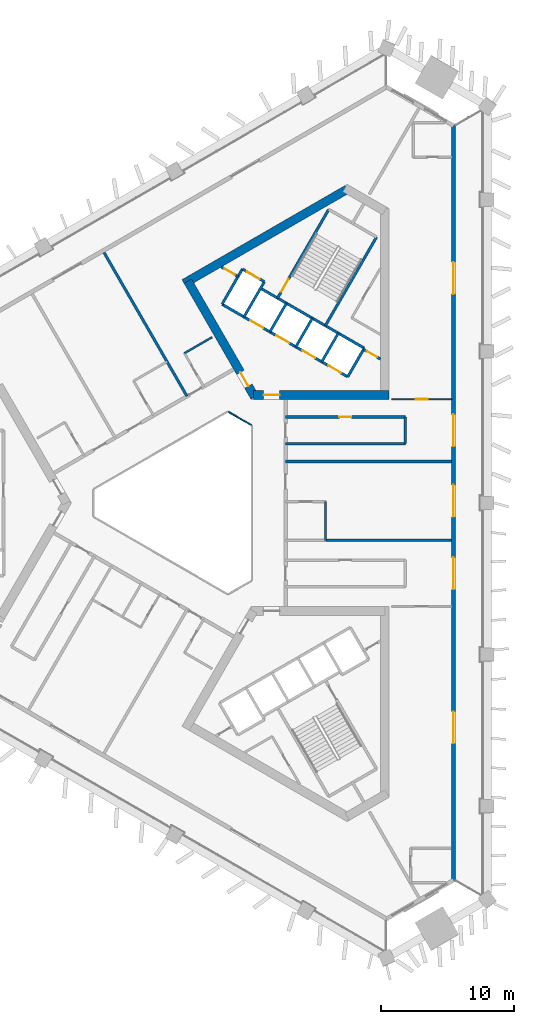
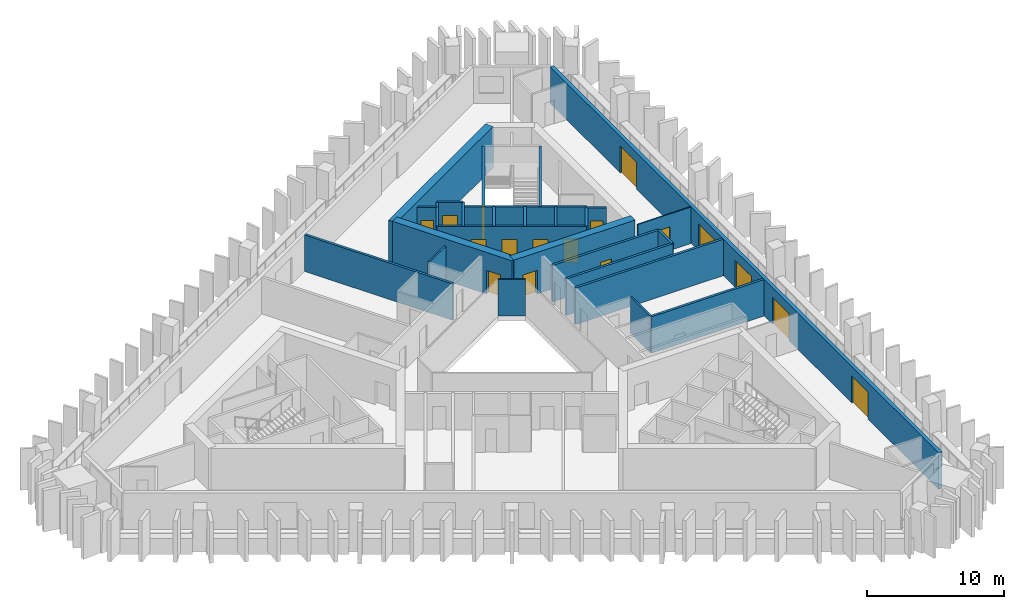
# One storey, part 5 of 10: 27 walls, 17 doors, 17 openings.
"""IFC4 building model written with IfcOpenShell, lengths in metres."""

from ifc_helpers import new_model, si_unit, direction, frame, frame_2d, origin, place, context, subcontext, project, spatial, rectangle, extrude, material, layer, layer_set, type_object, element, fill, save


model = new_model("IFC4")

# Units and contexts
model_context = context("Model", 3, precision=1e-05, world=origin(), true_north=direction((0.0, 1.0)))
body_context = subcontext(model_context, "Body", "Model", "MODEL_VIEW")
ifc_project = project(units=[si_unit("LENGTHUNIT", "METRE"), si_unit("AREAUNIT", "SQUARE_METRE"), si_unit("VOLUMEUNIT", "CUBIC_METRE"), si_unit("PLANEANGLEUNIT", "RADIAN"), si_unit("MASSUNIT", "GRAM", prefix="KILO")], contexts=[model_context])

# Site, building, storey
site_placement = place(None, origin())
site = spatial("IfcSite", under=ifc_project, at=site_placement, CompositionType="ELEMENT")
building_placement = place(site_placement, origin())
building = spatial("IfcBuilding", under=site, at=building_placement, Name="Jabali Bay Hotel Tower and Convention Centre", CompositionType="ELEMENT")
storey_placement = place(building_placement, frame((0.0, 0.0, 117.89990234375)))
storey = spatial("IfcBuildingStorey", under=building, at=storey_placement, Name="L28", CompositionType="ELEMENT", Elevation=117.89990234375)

# Wall
ifc_material_1 = material(Name="Fire-resistant glazing", Category="glass")
ifc_layer_1 = layer(ifc_material_1, 0.10009765625)
ifc_layer_set_1 = layer_set([ifc_layer_1], Name="Fire-resistant glazing")
wall_type_1 = type_object("IfcWallType", Name="Atrium glazed screen 100", PredefinedType="PARTITIONING", material=ifc_layer_set_1)
wall_1_placement = place(storey_placement, frame((79.530029296875, 85.84619140625, 0.0), z_axis=(0.0, 0.0, 1.0), x_axis=(-0.866041268327, 0.499972520799, 0.0)))
element("IfcWall", 1, at=wall_1_placement, inside=storey, type_object=wall_type_1, Name="Atrium screen 2 L28", PredefinedType="PARTITIONING", context=body_context, shape_type="SweptSolid", body=[
    extrude(rectangle(XDim=2.0, YDim=0.10009765625, at=frame_2d((1.0, 0.0))), origin(), (0.0, 0.0, 1.0), 3.25),
])

# Wall, opening, door
ifc_material_2 = material(Name="Concrete C40", Category="concrete")
ifc_layer_2 = layer(ifc_material_2, 0.199951171875)
ifc_layer_set_2 = layer_set([ifc_layer_2], Name="Concrete C40")
wall_type_2 = type_object("IfcWallType", Name="Core partition wall 200", PredefinedType="PARTITIONING", material=ifc_layer_set_2)
wall_2_placement = place(storey_placement, frame((89.22998046875, 90.813720703125, 0.0), z_axis=(0.0, 0.0, 1.0), x_axis=(-0.866022048785, 0.500005810984, 0.0)))
wall_2 = element("IfcWall", 2, at=wall_2_placement, inside=storey, type_object=wall_type_2, Name="Core wall 1.11 L28", PredefinedType="PARTITIONING", context=body_context, shape_type="SweptSolid", body=[
    extrude(rectangle(XDim=1.466796875, YDim=0.199951171875, at=frame_2d((0.7333984375, 0.0))), origin(), (0.0, 0.0, 1.0), 3.25),
])
opening_1_placement = place(wall_2_placement, frame((0.283447265625, 0.0, 0.0)))
opening_1 = element("IfcOpeningElement", 3, at=opening_1_placement, cuts=wall_2, Name="Opening D631", PredefinedType="OPENING", context=body_context, shape_type="SweptSolid", body=[
    extrude(rectangle(XDim=0.89990234375, YDim=2.10009765625, at=frame_2d((0.449951171875, 1.050048828125))), frame((0.0, 0.1103515625, 0.0), z_axis=(0.0, -1.0, 0.0), x_axis=(1.0, 0.0, 0.0)), (0.0, 0.0, 1.0), 0.220947265625),
])
ifc_material_3 = material(Name="Fire-rated steel door", Category="steel")
door_type_1 = type_object("IfcDoorType", Name="Vestibule fire door 900 x 2100", OperationType="NOTDEFINED", PredefinedType="NOTDEFINED", material=ifc_material_3)
door_1_placement = place(opening_1_placement, origin())
door_1 = element("IfcDoor", 4, at=door_1_placement, inside=storey, type_object=door_type_1, Name="Vestibule fire door D631", OperationType="SINGLE_SWING_LEFT", OverallHeight=2.10009765625, OverallWidth=0.89990234375, PredefinedType="NOTDEFINED", context=body_context, shape_type="SweptSolid", body=[
    extrude(rectangle(XDim=0.89990234375, YDim=2.10009765625, at=frame_2d((0.449951171875, 1.050048828125))), frame((0.0, 0.02490234375, 0.0), z_axis=(0.0, -1.0, 0.0), x_axis=(1.0, 0.0, 0.0)), (0.0, 0.0, 1.0), 0.050048828125),
])
fill(opening_1, door_1)

wall_3_placement = place(storey_placement, frame((78.5302734375, 97.014404296875, 0.0), z_axis=(0.0, 0.0, 1.0), x_axis=(-0.866045896294, 0.499964504253, 0.0)))
wall_3 = element("IfcWall", 5, at=wall_3_placement, inside=storey, type_object=wall_type_2, Name="Core wall 1.12 L28", PredefinedType="PARTITIONING", context=body_context, shape_type="SweptSolid", body=[
    extrude(rectangle(XDim=1.455078125, YDim=0.199951171875, at=frame_2d((0.7275390625, 0.0))), origin(), (0.0, 0.0, 1.0), 3.25),
])
opening_2_placement = place(wall_3_placement, frame((0.277587890625, 0.0, 0.0)))
opening_2 = element("IfcOpeningElement", 6, at=opening_2_placement, cuts=wall_3, Name="Opening D630", PredefinedType="OPENING", context=body_context, shape_type="SweptSolid", body=[
    extrude(rectangle(XDim=0.89990234375, YDim=2.10009765625, at=frame_2d((0.449951171875, 1.050048828125))), frame((0.0, 0.1103515625, 0.0), z_axis=(0.0, -1.0, 0.0), x_axis=(1.0, 0.0, 0.0)), (0.0, 0.0, 1.0), 0.220947265625),
])
door_2_placement = place(opening_2_placement, origin())
door_2 = element("IfcDoor", 7, at=door_2_placement, inside=storey, type_object=door_type_1, Name="Vestibule fire door D630", OperationType="SINGLE_SWING_LEFT", OverallHeight=2.10009765625, OverallWidth=0.89990234375, PredefinedType="NOTDEFINED", context=body_context, shape_type="SweptSolid", body=[
    extrude(rectangle(XDim=0.89990234375, YDim=2.10009765625, at=frame_2d((0.449951171875, 1.050048828125))), frame((0.0, 0.02490234375, 0.0), z_axis=(0.0, -1.0, 0.0), x_axis=(1.0, 0.0, 0.0)), (0.0, 0.0, 1.0), 0.050048828125),
])
fill(opening_2, door_2)

# Walls
ifc_layer_3 = layer(ifc_material_2, 0.199951171875)
ifc_layer_set_3 = layer_set([ifc_layer_3], Name="Concrete C40")
wall_type_3 = type_object("IfcWallType", Name="Core stair wall 200", PredefinedType="SOLIDWALL", material=ifc_layer_set_3)
for number, where, z_axis, x_axis, name in (
    (8, (86.769775390625, 89.48583984375, 0.0), (0.0, 0.0, 1.0), (0.499961042966, 0.86604789447, 0.0), "Core wall 1.0 L28"),
    (9, (84.8212890625, 90.61083984375, 0.0), (0.0, 0.0, 1.0), (0.499961042966, 0.86604789447, 0.0), "Core wall 1.2 L28"),
):
    element("IfcWall", number, at=place(storey_placement, frame(where, z_axis=z_axis, x_axis=x_axis)), inside=storey, type_object=wall_type_3, Name=name, PredefinedType="SOLIDWALL", context=body_context, shape_type="SweptSolid", body=[
        extrude(rectangle(XDim=2.480224609375, YDim=0.199951171875, at=frame_2d((1.240234375, 0.0))), origin(), (0.0, 0.0, 1.0), 3.25),
    ])
wall_4_placement = place(storey_placement, frame((85.0869140625, 93.3212890625, 0.0), z_axis=(0.0, 0.0, 1.0), x_axis=(0.500019787375, 0.866013979237, 0.0)))
element("IfcWall", 10, at=wall_4_placement, inside=storey, type_object=wall_type_3, Name="Core wall 1.3 L28", PredefinedType="SOLIDWALL", context=body_context, shape_type="SweptSolid", body=[
    extrude(rectangle(XDim=7.699951171875, YDim=0.199951171875, at=frame_2d((3.85009765625, 0.0))), origin(), (0.0, 0.0, 1.0), 3.25),
])
for number, where, z_axis, x_axis, name in (
    (11, (82.872802734375, 91.73583984375, 0.0), (0.0, 0.0, 1.0), (0.499961042966, 0.86604789447, 0.0), "Core wall 1.4 L28"),
    (12, (80.924072265625, 92.86083984375, 0.0), (0.0, 0.0, 1.0), (0.499961042966, 0.86604789447, 0.0), "Core wall 1.6 L28"),
):
    element("IfcWall", number, at=place(storey_placement, frame(where, z_axis=z_axis, x_axis=x_axis)), inside=storey, type_object=wall_type_3, Name=name, PredefinedType="SOLIDWALL", context=body_context, shape_type="SweptSolid", body=[
        extrude(rectangle(XDim=2.480224609375, YDim=0.199951171875, at=frame_2d((1.240234375, 0.0))), origin(), (0.0, 0.0, 1.0), 3.25),
    ])

# Wall, opening, door
wall_5_placement = place(storey_placement, frame((81.492919921875, 95.396240234375, 0.0), z_axis=(0.0, 0.0, 1.0), x_axis=(0.500006057782, 0.866021906294, 0.0)))
wall_5 = element("IfcWall", 13, at=wall_5_placement, inside=storey, type_object=wall_type_3, Name="Core wall 1.7 L28", PredefinedType="SOLIDWALL", context=body_context, shape_type="SweptSolid", body=[
    extrude(rectangle(XDim=7.7001953125, YDim=0.199951171875, at=frame_2d((3.85009765625, 0.0))), origin(), (0.0, 0.0, 1.0), 3.25),
])
opening_3_placement = place(wall_5_placement, frame((0.550048828125, 0.0, 0.0)))
opening_3 = element("IfcOpeningElement", 14, at=opening_3_placement, cuts=wall_5, Name="Opening D632", PredefinedType="OPENING", context=body_context, shape_type="SweptSolid", body=[
    extrude(rectangle(XDim=1.10009765625, YDim=2.10009765625, at=frame_2d((0.550048828125, 1.050048828125))), frame((0.0, 0.1103515625, 0.0), z_axis=(0.0, -1.0, 0.0), x_axis=(1.0, 0.0, 0.0)), (0.0, 0.0, 1.0), 0.220947265625),
])
door_type_2 = type_object("IfcDoorType", Name="Stair fire door 1100 x 2100", OperationType="NOTDEFINED", PredefinedType="NOTDEFINED", material=ifc_material_3)
door_3_placement = place(opening_3_placement, origin())
door_3 = element("IfcDoor", 15, at=door_3_placement, inside=storey, type_object=door_type_2, Name="Stair fire door D632", OperationType="SINGLE_SWING_RIGHT", OverallHeight=2.10009765625, OverallWidth=1.10009765625, PredefinedType="NOTDEFINED", context=body_context, shape_type="SweptSolid", body=[
    extrude(rectangle(XDim=1.10009765625, YDim=2.10009765625, at=frame_2d((0.550048828125, 1.050048828125))), frame((0.0, 0.02490234375, 0.0), z_axis=(0.0, -1.0, 0.0), x_axis=(1.0, 0.0, 0.0)), (0.0, 0.0, 1.0), 0.050048828125),
])
fill(opening_3, door_3)

# Walls
for number, where, z_axis, x_axis, name in (
    (16, (78.9755859375, 93.98583984375, 0.0), (0.0, 0.0, 1.0), (0.499944174705, 0.866057632134, 0.0), "Core wall 1.8 L28"),
    (17, (77.330078125, 94.93603515625, 0.0), (0.0, 0.0, 1.0), (0.500038867431, 0.8660029625, 0.0), "Core wall 1.9 L28"),
):
    element("IfcWall", number, at=place(storey_placement, frame(where, z_axis=z_axis, x_axis=x_axis)), inside=storey, type_object=wall_type_3, Name=name, PredefinedType="SOLIDWALL", context=body_context, shape_type="SweptSolid", body=[
        extrude(rectangle(XDim=3.050048828125, YDim=0.199951171875, at=frame_2d((1.52490234375, 0.0))), origin(), (0.0, 0.0, 1.0), 3.25),
    ])

# Wall, openings, doors
wall_6_placement = place(storey_placement, frame((86.769775390625, 89.48583984375, 0.0), z_axis=(0.0, 0.0, 1.0), x_axis=(-0.86601811187, 0.500012629753, 0.0)))
wall_6 = element("IfcWall", 18, at=wall_6_placement, inside=storey, type_object=wall_type_3, Name="Core wall 1.10 L28", PredefinedType="SOLIDWALL", context=body_context, shape_type="SweptSolid", body=[
    extrude(rectangle(XDim=10.900146484375, YDim=0.199951171875, at=frame_2d((5.4501953125, 0.0))), origin(), (0.0, 0.0, 1.0), 3.25),
])
opening_4_placement = place(wall_6_placement, frame((0.574951171875, 0.0, 0.0)))
opening_4 = element("IfcOpeningElement", 19, at=opening_4_placement, cuts=wall_6, Name="Opening LD6-L28", PredefinedType="OPENING", context=body_context, shape_type="SweptSolid", body=[
    extrude(rectangle(XDim=1.10009765625, YDim=2.10009765625, at=frame_2d((0.550048828125, 1.050048828125))), frame((0.0, 0.1103515625, 0.0), z_axis=(0.0, -1.0, 0.0), x_axis=(1.0, 0.0, 0.0)), (0.0, 0.0, 1.0), 0.220947265625),
])
opening_5_placement = place(wall_6_placement, frame((2.824951171875, 0.0, 0.0)))
opening_5 = element("IfcOpeningElement", 20, at=opening_5_placement, cuts=wall_6, Name="Opening LD7-L28", PredefinedType="OPENING", context=body_context, shape_type="SweptSolid", body=[
    extrude(rectangle(XDim=1.10009765625, YDim=2.10009765625, at=frame_2d((0.550048828125, 1.050048828125))), frame((0.0, 0.1103515625, 0.0), z_axis=(0.0, -1.0, 0.0), x_axis=(1.0, 0.0, 0.0)), (0.0, 0.0, 1.0), 0.220947265625),
])
opening_6_placement = place(wall_6_placement, frame((5.074951171875, 0.0, 0.0)))
opening_6 = element("IfcOpeningElement", 21, at=opening_6_placement, cuts=wall_6, Name="Opening LD8-L28", PredefinedType="OPENING", context=body_context, shape_type="SweptSolid", body=[
    extrude(rectangle(XDim=1.10009765625, YDim=2.10009765625, at=frame_2d((0.550048828125, 1.050048828125))), frame((0.0, 0.1103515625, 0.0), z_axis=(0.0, -1.0, 0.0), x_axis=(1.0, 0.0, 0.0)), (0.0, 0.0, 1.0), 0.220947265625),
])
opening_7_placement = place(wall_6_placement, frame((7.324951171875, 0.0, 0.0)))
opening_7 = element("IfcOpeningElement", 22, at=opening_7_placement, cuts=wall_6, Name="Opening LD9-L28", PredefinedType="OPENING", context=body_context, shape_type="SweptSolid", body=[
    extrude(rectangle(XDim=1.10009765625, YDim=2.10009765625, at=frame_2d((0.550048828125, 1.050048828125))), frame((0.0, 0.1103515625, 0.0), z_axis=(0.0, -1.0, 0.0), x_axis=(1.0, 0.0, 0.0)), (0.0, 0.0, 1.0), 0.220947265625),
])
ifc_material_4 = material(Name="Stainless steel landing door", Category="steel")
door_type_3 = type_object("IfcDoorType", Name="Landing door 1100 x 2100", OperationType="NOTDEFINED", PredefinedType="NOTDEFINED", material=ifc_material_4)
door_4_placement = place(opening_4_placement, origin())
door_4 = element("IfcDoor", 23, at=door_4_placement, inside=storey, type_object=door_type_3, Name="Landing doors LD6-L28", OperationType="SLIDING_TO_RIGHT", OverallHeight=2.10009765625, OverallWidth=1.10009765625, PredefinedType="NOTDEFINED", context=body_context, shape_type="SweptSolid", body=[
    extrude(rectangle(XDim=1.10009765625, YDim=2.10009765625, at=frame_2d((0.550048828125, 1.050048828125))), frame((0.0, 0.02490234375, 0.0), z_axis=(0.0, -1.0, 0.0), x_axis=(1.0, 0.0, 0.0)), (0.0, 0.0, 1.0), 0.050048828125),
])
fill(opening_4, door_4)
door_5_placement = place(opening_5_placement, origin())
door_5 = element("IfcDoor", 24, at=door_5_placement, inside=storey, type_object=door_type_3, Name="Landing doors LD7-L28", OperationType="SLIDING_TO_LEFT", OverallHeight=2.10009765625, OverallWidth=1.10009765625, PredefinedType="NOTDEFINED", context=body_context, shape_type="SweptSolid", body=[
    extrude(rectangle(XDim=1.10009765625, YDim=2.10009765625, at=frame_2d((0.550048828125, 1.050048828125))), frame((0.0, 0.02490234375, 0.0), z_axis=(0.0, -1.0, 0.0), x_axis=(1.0, 0.0, 0.0)), (0.0, 0.0, 1.0), 0.050048828125),
])
fill(opening_5, door_5)
door_6_placement = place(opening_6_placement, origin())
door_6 = element("IfcDoor", 25, at=door_6_placement, inside=storey, type_object=door_type_3, Name="Landing doors LD8-L28", OperationType="SLIDING_TO_RIGHT", OverallHeight=2.10009765625, OverallWidth=1.10009765625, PredefinedType="NOTDEFINED", context=body_context, shape_type="SweptSolid", body=[
    extrude(rectangle(XDim=1.10009765625, YDim=2.10009765625, at=frame_2d((0.550048828125, 1.050048828125))), frame((0.0, 0.02490234375, 0.0), z_axis=(0.0, -1.0, 0.0), x_axis=(1.0, 0.0, 0.0)), (0.0, 0.0, 1.0), 0.050048828125),
])
fill(opening_6, door_6)
door_7_placement = place(opening_7_placement, origin())
door_7 = element("IfcDoor", 26, at=door_7_placement, inside=storey, type_object=door_type_3, Name="Landing doors LD9-L28", OperationType="SLIDING_TO_LEFT", OverallHeight=2.10009765625, OverallWidth=1.10009765625, PredefinedType="NOTDEFINED", context=body_context, shape_type="SweptSolid", body=[
    extrude(rectangle(XDim=1.10009765625, YDim=2.10009765625, at=frame_2d((0.550048828125, 1.050048828125))), frame((0.0, 0.02490234375, 0.0), z_axis=(0.0, -1.0, 0.0), x_axis=(1.0, 0.0, 0.0)), (0.0, 0.0, 1.0), 0.050048828125),
])
fill(opening_7, door_7)

# Wall
wall_7_placement = place(storey_placement, frame((88.009765625, 91.6337890625, 0.0), z_axis=(0.0, 0.0, 1.0), x_axis=(-0.866024315419, 0.5000018851, 0.0)))
element("IfcWall", 27, at=wall_7_placement, inside=storey, type_object=wall_type_3, Name="Core wall 1.13 L28", PredefinedType="SOLIDWALL", context=body_context, shape_type="SweptSolid", body=[
    extrude(rectangle(XDim=9.0, YDim=0.199951171875, at=frame_2d((4.5, 0.0))), origin(), (0.0, 0.0, 1.0), 3.25),
])

# Wall, opening, door
wall_8_placement = place(storey_placement, frame((80.50048828125, 96.62744140625, 0.0), z_axis=(0.0, 0.0, 1.0), x_axis=(-0.86601224135, 0.500022797313, 0.0)))
wall_8 = element("IfcWall", 28, at=wall_8_placement, inside=storey, type_object=wall_type_3, Name="Core wall 1.14 L28", PredefinedType="SOLIDWALL", context=body_context, shape_type="SweptSolid", body=[
    extrude(rectangle(XDim=1.89990234375, YDim=0.199951171875, at=frame_2d((0.949951171875, 0.0))), origin(), (0.0, 0.0, 1.0), 3.25),
])
opening_8_placement = place(wall_8_placement, frame((0.39990234375, 0.0, 0.0)))
opening_8 = element("IfcOpeningElement", 29, at=opening_8_placement, cuts=wall_8, Name="Opening LD10-L28", PredefinedType="OPENING", context=body_context, shape_type="SweptSolid", body=[
    extrude(rectangle(XDim=1.10009765625, YDim=2.10009765625, at=frame_2d((0.550048828125, 1.050048828125))), frame((0.0, 0.1103515625, 0.0), z_axis=(0.0, -1.0, 0.0), x_axis=(1.0, 0.0, 0.0)), (0.0, 0.0, 1.0), 0.220947265625),
])
door_8_placement = place(opening_8_placement, origin())
door_8 = element("IfcDoor", 30, at=door_8_placement, inside=storey, type_object=door_type_3, Name="Landing doors LD10-L28", OperationType="SLIDING_TO_RIGHT", OverallHeight=2.10009765625, OverallWidth=1.10009765625, PredefinedType="NOTDEFINED", context=body_context, shape_type="SweptSolid", body=[
    extrude(rectangle(XDim=1.10009765625, YDim=2.10009765625, at=frame_2d((0.550048828125, 1.050048828125))), frame((0.0, 0.02490234375, 0.0), z_axis=(0.0, -1.0, 0.0), x_axis=(1.0, 0.0, 0.0)), (0.0, 0.0, 1.0), 0.050048828125),
])
fill(opening_8, door_8)

ifc_material_5 = material(Name="Concrete C60", Category="concrete")
ifc_layer_4 = layer(ifc_material_5, 0.64990234375)
ifc_layer_set_4 = layer_set([ifc_layer_4], Name="Concrete C60")
wall_type_4 = type_object("IfcWallType", Name="Core wall 650", PredefinedType="SHEAR", material=ifc_layer_set_4)
wall_9_placement = place(storey_placement, frame((79.687744140625, 88.119140625, 0.0), z_axis=(0.0, 0.0, 1.0), x_axis=(1.0, 0.0, 0.0)))
wall_9 = element("IfcWall", 31, at=wall_9_placement, inside=storey, type_object=wall_type_4, Name="Core wall 2.1 L28", PredefinedType="SHEAR", context=body_context, shape_type="SweptSolid", body=[
    extrude(rectangle(XDim=10.192138671875, YDim=0.64990234375, at=frame_2d((5.09619140625, 0.0))), origin(), (0.0, 0.0, 1.0), 3.7001953125),
])
opening_9_placement = place(wall_9_placement, frame((0.762451171875, 0.0, 0.0)))
opening_9 = element("IfcOpeningElement", 32, at=opening_9_placement, cuts=wall_9, Name="Opening D628", PredefinedType="OPENING", context=body_context, shape_type="SweptSolid", body=[
    extrude(rectangle(XDim=1.199951171875, YDim=2.10009765625, at=frame_2d((0.60009765625, 1.050048828125))), frame((0.0, 0.33544921875, 0.0), z_axis=(0.0, -1.0, 0.0), x_axis=(1.0, 0.0, 0.0)), (0.0, 0.0, 1.0), 0.6708984375),
])
door_type_4 = type_object("IfcDoorType", Name="Corridor end fire door 1200 x 2100", OperationType="NOTDEFINED", PredefinedType="NOTDEFINED", material=ifc_material_3)
door_9_placement = place(opening_9_placement, origin())
door_9 = element("IfcDoor", 33, at=door_9_placement, inside=storey, type_object=door_type_4, Name="Corridor end fire door D628", OperationType="SINGLE_SWING_RIGHT", OverallHeight=2.10009765625, OverallWidth=1.199951171875, PredefinedType="NOTDEFINED", context=body_context, shape_type="SweptSolid", body=[
    extrude(rectangle(XDim=1.199951171875, YDim=2.10009765625, at=frame_2d((0.60009765625, 1.050048828125))), frame((0.0, 0.02490234375, 0.0), z_axis=(0.0, -1.0, 0.0), x_axis=(1.0, 0.0, 0.0)), (0.0, 0.0, 1.0), 0.050048828125),
])
fill(opening_9, door_9)

# Wall
wall_10_placement = place(storey_placement, frame((86.72314453125, 103.574951171875, 0.0), z_axis=(0.0, 0.0, 1.0), x_axis=(-0.866031824457, -0.499988878904, 0.0)))
element("IfcWall", 34, at=wall_10_placement, inside=storey, type_object=wall_type_4, Name="Core wall 2.4 L28", PredefinedType="SHEAR", context=body_context, shape_type="SweptSolid", body=[
    extrude(rectangle(XDim=14.145751953125, YDim=0.64990234375, at=frame_2d((7.07275390625, 0.0))), origin(), (0.0, 0.0, 1.0), 3.7001953125),
])

# Wall, opening, door
wall_11_placement = place(storey_placement, frame((74.75390625, 96.66455078125, 0.0), z_axis=(0.0, 0.0, 1.0), x_axis=(0.500011799426, -0.866018591275, 0.0)))
wall_11 = element("IfcWall", 35, at=wall_11_placement, inside=storey, type_object=wall_type_4, Name="Core wall 2.5 L28", PredefinedType="SHEAR", context=body_context, shape_type="SweptSolid", body=[
    extrude(rectangle(XDim=10.054931640625, YDim=0.64990234375, at=frame_2d((5.02734375, 0.0))), origin(), (0.0, 0.0, 1.0), 3.7001953125),
])
opening_10_placement = place(wall_11_placement, frame((7.905029296875, 0.0, 0.0)))
opening_10 = element("IfcOpeningElement", 36, at=opening_10_placement, cuts=wall_11, Name="Opening D629", PredefinedType="OPENING", context=body_context, shape_type="SweptSolid", body=[
    extrude(rectangle(XDim=1.199951171875, YDim=2.10009765625, at=frame_2d((0.60009765625, 1.050048828125))), frame((0.0, 0.33544921875, 0.0), z_axis=(0.0, -1.0, 0.0), x_axis=(1.0, 0.0, 0.0)), (0.0, 0.0, 1.0), 0.6708984375),
])
door_10_placement = place(opening_10_placement, origin())
door_10 = element("IfcDoor", 37, at=door_10_placement, inside=storey, type_object=door_type_4, Name="Corridor end fire door D629", OperationType="SINGLE_SWING_LEFT", OverallHeight=2.10009765625, OverallWidth=1.199951171875, PredefinedType="NOTDEFINED", context=body_context, shape_type="SweptSolid", body=[
    extrude(rectangle(XDim=1.199951171875, YDim=2.10009765625, at=frame_2d((0.60009765625, 1.050048828125))), frame((0.0, 0.02490234375, 0.0), z_axis=(0.0, -1.0, 0.0), x_axis=(1.0, 0.0, 0.0)), (0.0, 0.0, 1.0), 0.050048828125),
])
fill(opening_10, door_10)

# Wall, openings, doors
ifc_layer_5 = layer(ifc_material_2, 0.300048828125)
ifc_layer_set_5 = layer_set([ifc_layer_5], Name="Concrete C40")
wall_type_5 = type_object("IfcWallType", Name="External wall 300", PredefinedType="SOLIDWALL", material=ifc_layer_set_5)
wall_12_placement = place(storey_placement, frame((94.725341796875, 108.361328125, 0.0), z_axis=(0.0, 0.0, 1.0), x_axis=(0.0, -1.0, 0.0)))
wall_12 = element("IfcWall", 38, at=wall_12_placement, inside=storey, type_object=wall_type_5, Name="External wall east face L28", PredefinedType="SOLIDWALL", context=body_context, shape_type="SweptSolid", body=[
    extrude(rectangle(XDim=56.72265625, YDim=0.300048828125, at=frame_2d((28.361328125, 0.0))), origin(), (0.0, 0.0, 1.0), 3.25),
])
opening_11_placement = place(wall_12_placement, frame((27.005615234375, 0.0, 0.0)))
opening_11 = element("IfcOpeningElement", 39, at=opening_11_placement, cuts=wall_12, Name="Opening SD1", PredefinedType="OPENING", context=body_context, shape_type="SweptSolid", body=[
    extrude(rectangle(XDim=2.39990234375, YDim=2.39990234375, at=frame_2d((1.199951171875, 1.199951171875))), frame((0.0, 0.16064453125, 0.0), z_axis=(0.0, -1.0, 0.0), x_axis=(1.0, 0.0, 0.0)), (0.0, 0.0, 1.0), 0.321044921875),
])
opening_12_placement = place(wall_12_placement, frame((32.46142578125, 0.0, 0.0)))
opening_12 = element("IfcOpeningElement", 40, at=opening_12_placement, cuts=wall_12, Name="Opening SD1", PredefinedType="OPENING", context=body_context, shape_type="SweptSolid", body=[
    extrude(rectangle(XDim=2.39990234375, YDim=2.39990234375, at=frame_2d((1.199951171875, 1.199951171875))), frame((0.0, 0.16064453125, 0.0), z_axis=(0.0, -1.0, 0.0), x_axis=(1.0, 0.0, 0.0)), (0.0, 0.0, 1.0), 0.321044921875),
])
opening_13_placement = place(wall_12_placement, frame((44.03857421875, 0.0, 0.0)))
opening_13 = element("IfcOpeningElement", 41, at=opening_13_placement, cuts=wall_12, Name="Opening SD1", PredefinedType="OPENING", context=body_context, shape_type="SweptSolid", body=[
    extrude(rectangle(XDim=2.39990234375, YDim=2.39990234375, at=frame_2d((1.199951171875, 1.199951171875))), frame((0.0, 0.16064453125, 0.0), z_axis=(0.0, -1.0, 0.0), x_axis=(1.0, 0.0, 0.0)), (0.0, 0.0, 1.0), 0.321044921875),
])
opening_14_placement = place(wall_12_placement, frame((21.70556640625, 0.0, 0.0)))
opening_14 = element("IfcOpeningElement", 42, at=opening_14_placement, cuts=wall_12, Name="Opening SD1", PredefinedType="OPENING", context=body_context, shape_type="SweptSolid", body=[
    extrude(rectangle(XDim=2.39990234375, YDim=2.39990234375, at=frame_2d((1.199951171875, 1.199951171875))), frame((0.0, 0.16064453125, 0.0), z_axis=(0.0, -1.0, 0.0), x_axis=(1.0, 0.0, 0.0)), (0.0, 0.0, 1.0), 0.321044921875),
])
opening_15_placement = place(wall_12_placement, frame((10.25830078125, 0.0, 0.0)))
opening_15 = element("IfcOpeningElement", 43, at=opening_15_placement, cuts=wall_12, Name="Opening SD1", PredefinedType="OPENING", context=body_context, shape_type="SweptSolid", body=[
    extrude(rectangle(XDim=2.39990234375, YDim=2.39990234375, at=frame_2d((1.199951171875, 1.199951171875))), frame((0.0, 0.16064453125, 0.0), z_axis=(0.0, -1.0, 0.0), x_axis=(1.0, 0.0, 0.0)), (0.0, 0.0, 1.0), 0.321044921875),
])
ifc_material_6 = material(Name="Glass", Category="glass")
door_type_5 = type_object("IfcDoorType", Name="Loggia sliding door 2400 x 2400", OperationType="NOTDEFINED", PredefinedType="NOTDEFINED", material=ifc_material_6)
door_11_placement = place(opening_11_placement, origin())
door_11 = element("IfcDoor", 44, at=door_11_placement, inside=storey, type_object=door_type_5, Name="Loggia sliding door 2803", OperationType="SLIDING_TO_LEFT", OverallHeight=2.39990234375, OverallWidth=2.39990234375, PredefinedType="NOTDEFINED", context=body_context, shape_type="SweptSolid", body=[
    extrude(rectangle(XDim=2.39990234375, YDim=2.39990234375, at=frame_2d((1.199951171875, 1.199951171875))), frame((0.0, 0.02490234375, 0.0), z_axis=(0.0, -1.0, 0.0), x_axis=(1.0, 0.0, 0.0)), (0.0, 0.0, 1.0), 0.050048828125),
])
fill(opening_11, door_11)
door_12_placement = place(opening_12_placement, origin())
door_12 = element("IfcDoor", 45, at=door_12_placement, inside=storey, type_object=door_type_5, Name="Loggia sliding door 2801", OperationType="SLIDING_TO_RIGHT", OverallHeight=2.39990234375, OverallWidth=2.39990234375, PredefinedType="NOTDEFINED", context=body_context, shape_type="SweptSolid", body=[
    extrude(rectangle(XDim=2.39990234375, YDim=2.39990234375, at=frame_2d((1.199951171875, 1.199951171875))), frame((0.0, 0.02490234375, 0.0), z_axis=(0.0, -1.0, 0.0), x_axis=(1.0, 0.0, 0.0)), (0.0, 0.0, 1.0), 0.050048828125),
])
fill(opening_12, door_12)
door_13_placement = place(opening_13_placement, origin())
door_13 = element("IfcDoor", 46, at=door_13_placement, inside=storey, type_object=door_type_5, Name="Loggia sliding door 2801", OperationType="SLIDING_TO_LEFT", OverallHeight=2.39990234375, OverallWidth=2.39990234375, PredefinedType="NOTDEFINED", context=body_context, shape_type="SweptSolid", body=[
    extrude(rectangle(XDim=2.39990234375, YDim=2.39990234375, at=frame_2d((1.199951171875, 1.199951171875))), frame((0.0, 0.02490234375, 0.0), z_axis=(0.0, -1.0, 0.0), x_axis=(1.0, 0.0, 0.0)), (0.0, 0.0, 1.0), 0.050048828125),
])
fill(opening_13, door_13)
door_14_placement = place(opening_14_placement, origin())
door_14 = element("IfcDoor", 47, at=door_14_placement, inside=storey, type_object=door_type_5, Name="Loggia sliding door 2804", OperationType="SLIDING_TO_RIGHT", OverallHeight=2.39990234375, OverallWidth=2.39990234375, PredefinedType="NOTDEFINED", context=body_context, shape_type="SweptSolid", body=[
    extrude(rectangle(XDim=2.39990234375, YDim=2.39990234375, at=frame_2d((1.199951171875, 1.199951171875))), frame((0.0, 0.02490234375, 0.0), z_axis=(0.0, -1.0, 0.0), x_axis=(1.0, 0.0, 0.0)), (0.0, 0.0, 1.0), 0.050048828125),
])
fill(opening_14, door_14)
door_15_placement = place(opening_15_placement, origin())
door_15 = element("IfcDoor", 48, at=door_15_placement, inside=storey, type_object=door_type_5, Name="Loggia sliding door 2804", OperationType="SLIDING_TO_LEFT", OverallHeight=2.39990234375, OverallWidth=2.39990234375, PredefinedType="NOTDEFINED", context=body_context, shape_type="SweptSolid", body=[
    extrude(rectangle(XDim=2.39990234375, YDim=2.39990234375, at=frame_2d((1.199951171875, 1.199951171875))), frame((0.0, 0.02490234375, 0.0), z_axis=(0.0, -1.0, 0.0), x_axis=(1.0, 0.0, 0.0)), (0.0, 0.0, 1.0), 0.050048828125),
])
fill(opening_15, door_15)

# Wall, opening, door
ifc_material_7 = material(Name="Plasterboard on steel stud", Category="steel")
ifc_layer_6 = layer(ifc_material_7, 0.10009765625)
ifc_layer_set_6 = layer_set([ifc_layer_6], Name="Plasterboard on steel stud")
wall_type_6 = type_object("IfcWallType", Name="Partition 100 unit", PredefinedType="PARTITIONING", material=ifc_layer_set_6)
wall_13_placement = place(storey_placement, frame((94.576416015625, 87.794189453125, 0.0), z_axis=(0.0, 0.0, 1.0), x_axis=(-1.0, 0.0, 0.0)))
wall_13 = element("IfcWall", 49, at=wall_13_placement, inside=storey, type_object=wall_type_6, Name="Partition P02 L28 014", PredefinedType="PARTITIONING", context=body_context, shape_type="SweptSolid", body=[
    extrude(rectangle(XDim=4.497314453125, YDim=0.10009765625, at=frame_2d((2.24853515625, 0.0))), origin(), (0.0, 0.0, 1.0), 3.25),
])
opening_16_placement = place(wall_13_placement, frame((1.799072265625, 0.0, 0.0)))
opening_16 = element("IfcOpeningElement", 50, at=opening_16_placement, cuts=wall_13, Name="Opening 2808", PredefinedType="OPENING", context=body_context, shape_type="SweptSolid", body=[
    extrude(rectangle(XDim=0.89990234375, YDim=2.10009765625, at=frame_2d((0.449951171875, 1.050048828125))), frame((0.0, 0.060546875, 0.0), z_axis=(0.0, -1.0, 0.0), x_axis=(1.0, 0.0, 0.0)), (0.0, 0.0, 1.0), 0.12109375),
])
ifc_material_8 = material(Name="Timber", Category="wood")
door_type_6 = type_object("IfcDoorType", Name="Internal door 900 x 2100", OperationType="NOTDEFINED", PredefinedType="NOTDEFINED", material=ifc_material_8)
door_16_placement = place(opening_16_placement, origin())
door_16 = element("IfcDoor", 51, at=door_16_placement, inside=storey, type_object=door_type_6, Name="Door 2808", OperationType="SINGLE_SWING_RIGHT", OverallHeight=2.10009765625, OverallWidth=0.89990234375, PredefinedType="NOTDEFINED", context=body_context, shape_type="SweptSolid", body=[
    extrude(rectangle(XDim=0.89990234375, YDim=2.10009765625, at=frame_2d((0.449951171875, 1.050048828125))), frame((0.0, 0.02490234375, 0.0), z_axis=(0.0, -1.0, 0.0), x_axis=(1.0, 0.0, 0.0)), (0.0, 0.0, 1.0), 0.050048828125),
])
fill(opening_16, door_16)

# Walls
ifc_layer_7 = layer(ifc_material_7, 0.14990234375)
ifc_layer_set_7 = layer_set([ifc_layer_7], Name="Plasterboard on steel stud")
wall_type_7 = type_object("IfcWallType", Name="Partition 150 wet", PredefinedType="PARTITIONING", material=ifc_layer_set_7)
wall_14_placement = place(storey_placement, frame((85.10009765625, 80.093994140625, 0.0), z_axis=(0.0, 0.0, 1.0), x_axis=(0.0, -1.0, 0.0)))
element("IfcWall", 52, at=wall_14_placement, inside=storey, type_object=wall_type_7, Name="Partition P03 L28 012", PredefinedType="PARTITIONING", context=body_context, shape_type="SweptSolid", body=[
    extrude(rectangle(XDim=2.89990234375, YDim=0.14990234375, at=frame_2d((1.449951171875, 0.0))), origin(), (0.0, 0.0, 1.0), 3.25),
])
wall_15_placement = place(storey_placement, frame((74.498291015625, 91.25732421875, 0.0), z_axis=(0.0, 0.0, 1.0), x_axis=(0.866038271014, 0.499977712642, 0.0)))
element("IfcWall", 53, at=wall_15_placement, inside=storey, type_object=wall_type_7, Name="Partition P03 L28 023", PredefinedType="PARTITIONING", context=body_context, shape_type="SweptSolid", body=[
    extrude(rectangle(XDim=2.40087890625, YDim=0.14990234375, at=frame_2d((1.200439453125, 0.0))), origin(), (0.0, 0.0, 1.0), 3.25),
])
ifc_layer_8 = layer(ifc_material_7, 0.199951171875)
ifc_layer_set_8 = layer_set([ifc_layer_8], Name="Plasterboard on steel stud")
wall_type_8 = type_object("IfcWallType", Name="Partition 200 party", PredefinedType="PARTITIONING", material=ifc_layer_set_8)
wall_16_placement = place(storey_placement, frame((94.576416015625, 77.194091796875, 0.0), z_axis=(0.0, 0.0, 1.0), x_axis=(-1.0, 0.0, 0.0)))
element("IfcWall", 54, at=wall_16_placement, inside=storey, type_object=wall_type_8, Name="Partition P01 L28 005", PredefinedType="PARTITIONING", context=body_context, shape_type="SweptSolid", body=[
    extrude(rectangle(XDim=9.476318359375, YDim=0.199951171875, at=frame_2d((4.73828125, 0.0))), origin(), (0.0, 0.0, 1.0), 3.25),
])
wall_17_placement = place(storey_placement, frame((94.576416015625, 83.11767578125, 0.0), z_axis=(0.0, 0.0, 1.0), x_axis=(-1.0, 0.0, 0.0)))
element("IfcWall", 55, at=wall_17_placement, inside=storey, type_object=wall_type_8, Name="Partition P01 L28 013", PredefinedType="PARTITIONING", context=body_context, shape_type="SweptSolid", body=[
    extrude(rectangle(XDim=12.476318359375, YDim=0.199951171875, at=frame_2d((6.23828125, 0.0))), origin(), (0.0, 0.0, 1.0), 3.25),
])

# Wall, opening, door
wall_18_placement = place(storey_placement, frame((82.10009765625, 86.4560546875, 0.0), z_axis=(0.0, 0.0, 1.0), x_axis=(1.0, 0.0, 0.0)))
wall_18 = element("IfcWall", 56, at=wall_18_placement, inside=storey, type_object=wall_type_8, Name="Partition P01 L28 015", PredefinedType="PARTITIONING", context=body_context, shape_type="SweptSolid", body=[
    extrude(rectangle(XDim=9.0, YDim=0.199951171875, at=frame_2d((4.5, 0.0))), origin(), (0.0, 0.0, 1.0), 3.25),
])
opening_17_placement = place(wall_18_placement, frame((4.050048828125, 0.0, 0.0)))
opening_17 = element("IfcOpeningElement", 57, at=opening_17_placement, cuts=wall_18, Name="Opening 2810", PredefinedType="OPENING", context=body_context, shape_type="SweptSolid", body=[
    extrude(rectangle(XDim=0.89990234375, YDim=2.10009765625, at=frame_2d((0.449951171875, 1.050048828125))), frame((0.0, 0.1103515625, 0.0), z_axis=(0.0, -1.0, 0.0), x_axis=(1.0, 0.0, 0.0)), (0.0, 0.0, 1.0), 0.220947265625),
])
door_17_placement = place(opening_17_placement, origin())
door_17 = element("IfcDoor", 58, at=door_17_placement, inside=storey, type_object=door_type_6, Name="Door 2810", OperationType="SINGLE_SWING_RIGHT", OverallHeight=2.10009765625, OverallWidth=0.89990234375, PredefinedType="NOTDEFINED", context=body_context, shape_type="SweptSolid", body=[
    extrude(rectangle(XDim=0.89990234375, YDim=2.10009765625, at=frame_2d((0.449951171875, 1.050048828125))), frame((0.0, 0.02490234375, 0.0), z_axis=(0.0, -1.0, 0.0), x_axis=(1.0, 0.0, 0.0)), (0.0, 0.0, 1.0), 0.050048828125),
])
fill(opening_17, door_17)

# Walls
wall_19_placement = place(storey_placement, frame((91.10009765625, 86.4560546875, 0.0), z_axis=(0.0, 0.0, 1.0), x_axis=(0.0, -1.0, 0.0)))
element("IfcWall", 59, at=wall_19_placement, inside=storey, type_object=wall_type_8, Name="Partition P01 L28 016", PredefinedType="PARTITIONING", context=body_context, shape_type="SweptSolid", body=[
    extrude(rectangle(XDim=2.0, YDim=0.199951171875, at=frame_2d((1.0, 0.0))), origin(), (0.0, 0.0, 1.0), 3.25),
])
wall_20_placement = place(storey_placement, frame((91.10009765625, 84.4560546875, 0.0), z_axis=(0.0, 0.0, 1.0), x_axis=(-1.0, 0.0, 0.0)))
element("IfcWall", 60, at=wall_20_placement, inside=storey, type_object=wall_type_8, Name="Partition P01 L28 017", PredefinedType="PARTITIONING", context=body_context, shape_type="SweptSolid", body=[
    extrude(rectangle(XDim=9.0, YDim=0.199951171875, at=frame_2d((4.5, 0.0))), origin(), (0.0, 0.0, 1.0), 3.25),
])
wall_21_placement = place(storey_placement, frame((68.451904296875, 98.82421875, 0.0), z_axis=(0.0, 0.0, 1.0), x_axis=(0.499988393093, -0.866032104932, 0.0)))
element("IfcWall", 61, at=wall_21_placement, inside=storey, type_object=wall_type_8, Name="Partition P01 L28 024", PredefinedType="PARTITIONING", context=body_context, shape_type="SweptSolid", body=[
    extrude(rectangle(XDim=12.476318359375, YDim=0.199951171875, at=frame_2d((6.23828125, 0.0))), origin(), (0.0, 0.0, 1.0), 3.25),
])

save(model, "model.ifc")
